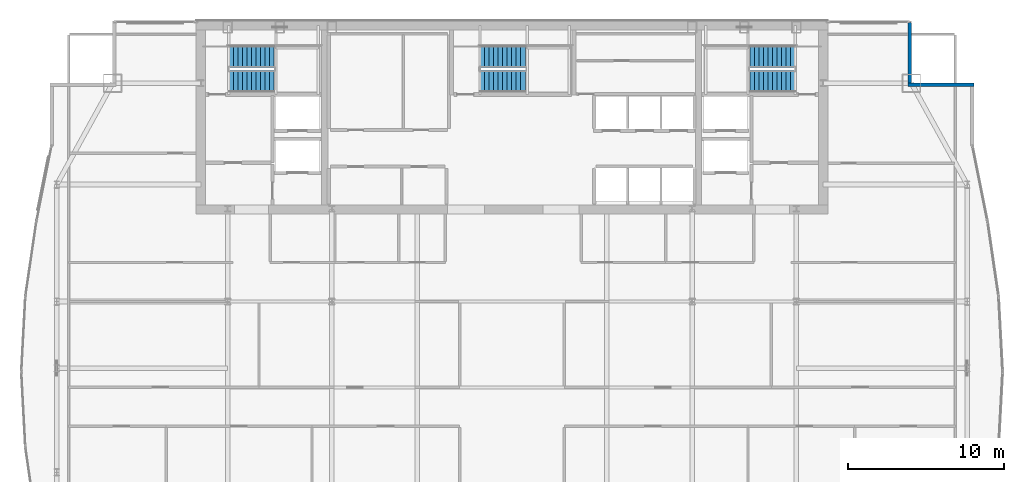
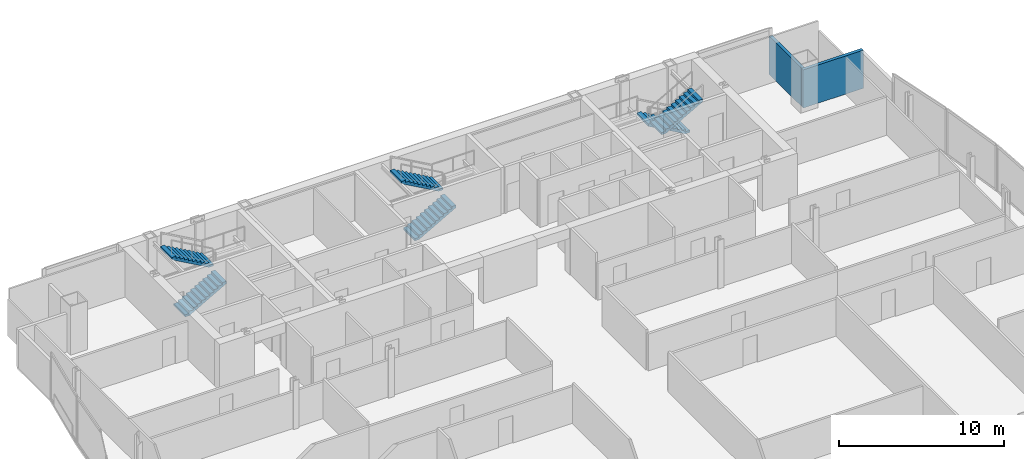
# One storey, part 28 of 30: 6 stair flights, 2 walls, 3 elements without a shape of their own.
"""IFC4 building model written with IfcOpenShell, lengths in metres."""

import ifcopenshell
import ifcopenshell.guid

model = None  # the IFC model being written
_history = None  # IfcOwnerHistory: only IFC2X3 demands one
_inside = {}  # id of a spatial element -> (the spatial element, [elements in it])
_under = {}  # id of a project, library or spatial element -> (it, [spatial elements below it])
_declared = {}  # id of a project -> (the project, [libraries it declares])
_typed = {}  # id of a type object -> (the type object, [elements of that type])
_made_of = {}  # id of a material, layer set ... -> (it, [elements and type objects made of it])


def new_model(schema):
    """Start an empty IFC model of exactly this schema.

    Asked for "IFC4X3", IfcOpenShell would pick the latest addendum, in which some entities
    have other attributes; the version numbers below select the first issue.
    IFC2X3 requires an IfcOwnerHistory on every rooted entity: one is made here for all.
    """
    global model, _history
    if schema == "IFC4X3":
        model = ifcopenshell.file(schema_version=(4, 3, 0, 0))
    else:
        model = ifcopenshell.file(schema=schema)
    _inside.clear()
    _under.clear()
    _declared.clear()
    _typed.clear()
    _made_of.clear()
    _history = None
    if model.schema == "IFC2X3":
        org = make("IfcOrganization", Name="unknown")
        user = make(
            "IfcPersonAndOrganization",
            ThePerson=make("IfcPerson", FamilyName="unknown"),
            TheOrganization=org,
        )
        app = make(
            "IfcApplication",
            ApplicationDeveloper=org,
            Version="unknown",
            ApplicationFullName="unknown",
            ApplicationIdentifier="unknown",
        )
        _history = make(
            "IfcOwnerHistory",
            OwningUser=user,
            OwningApplication=app,
            ChangeAction="ADDED",
            CreationDate=0,
        )
    return model


def make(cls, **values):
    """One entity of the class cls with the attributes given. An attribute that is None is left unset."""
    return model.create_entity(
        cls, **{name: value for name, value in values.items() if value is not None}
    )


def rooted(cls, **values):
    """An entity with a GlobalId (a new one), such as an element, a storey or a relation."""
    return make(cls, GlobalId=ifcopenshell.guid.new(), OwnerHistory=_history, **values)


def si_unit(unit_type, name, prefix=None):
    """IfcSIUnit, for example si_unit("LENGTHUNIT", "METRE", prefix="MILLI")."""
    return make("IfcSIUnit", UnitType=unit_type, Prefix=prefix, Name=name)


def assignment(units):
    """IfcUnitAssignment: the units of a project."""
    return None if units is None else make("IfcUnitAssignment", Units=units)


def point(xyz):
    """IfcCartesianPoint."""
    return None if xyz is None else make("IfcCartesianPoint", Coordinates=xyz)


def direction(xyz):
    """IfcDirection."""
    return None if xyz is None else make("IfcDirection", DirectionRatios=xyz)


def frame(location, z_axis=None, x_axis=None):
    """IfcAxis2Placement3D, a coordinate frame: its origin and axes. An axis left out is left unset."""
    return make(
        "IfcAxis2Placement3D",
        Location=point(location),
        Axis=direction(z_axis),
        RefDirection=direction(x_axis),
    )


def frame_2d(location, x_axis=None):
    """IfcAxis2Placement2D, a coordinate frame in the plane: its origin and x axis."""
    return make(
        "IfcAxis2Placement2D", Location=point(location), RefDirection=direction(x_axis)
    )


def origin():
    """The frame at (0, 0, 0) with its axes left unset."""
    return frame((0.0, 0.0, 0.0))


def place(relative_to, where):
    """IfcLocalPlacement: puts the frame where relative to a parent placement (None: the world)."""
    return make(
        "IfcLocalPlacement", PlacementRelTo=relative_to, RelativePlacement=where
    )


def context(
    kind, dimensions, precision=None, world=None, true_north=None, identifier=None
):
    """IfcGeometricRepresentationContext, for example the 3D "Model" context."""
    return make(
        "IfcGeometricRepresentationContext",
        ContextIdentifier=identifier,
        ContextType=kind,
        CoordinateSpaceDimension=dimensions,
        Precision=precision,
        WorldCoordinateSystem=world,
        TrueNorth=true_north,
    )


def subcontext(parent, identifier, kind, view, scale=None):
    """IfcGeometricRepresentationSubContext, for example "Body" below "Model"."""
    return make(
        "IfcGeometricRepresentationSubContext",
        ContextIdentifier=identifier,
        ContextType=kind,
        ParentContext=parent,
        TargetScale=scale,
        TargetView=view,
    )


def project(units=None, contexts=None):
    """IfcProject with its units and contexts."""
    return rooted(
        "IfcProject",
        Name="project",
        RepresentationContexts=contexts,
        UnitsInContext=assignment(units),
    )


def spatial(cls, under=None, at=None, **own):
    """A site, building, storey or space (cls), placed at a placement, below another one or the project."""
    s = rooted(cls, ObjectPlacement=at, **own)
    if under is not None:
        _under.setdefault(under.id(), (under, []))[1].append(s)
    return s


def polyline(points):
    """IfcPolyline through the points."""
    return make("IfcPolyline", Points=[point(p) for p in points])


def profile(cls, at=None, kind="AREA", **sizes):
    """A parametric profile (cls). Its sizes go by their IFC names, for example OverallWidth=200.0."""
    return make(cls, ProfileType=kind, Position=at, **sizes)


def rectangle(**sizes):
    """IfcRectangleProfileDef."""
    return profile("IfcRectangleProfileDef", **sizes)


def outline(outer, holes=None, kind="AREA"):
    """IfcArbitraryClosedProfileDef: a profile drawn as a closed curve; with holes, ...WithVoids."""
    if holes is None:
        return make("IfcArbitraryClosedProfileDef", ProfileType=kind, OuterCurve=outer)
    return make(
        "IfcArbitraryProfileDefWithVoids",
        ProfileType=kind,
        OuterCurve=outer,
        InnerCurves=holes,
    )


def extrude(swept, where, along, depth):
    """IfcExtrudedAreaSolid: the profile swept, set in the frame where, extruded along a direction by depth."""
    return make(
        "IfcExtrudedAreaSolid",
        SweptArea=swept,
        Position=where,
        ExtrudedDirection=direction(along),
        Depth=depth,
    )


def shape(context_of_items, identifier, shape_type, items):
    """IfcShapeRepresentation: the items that make up one representation, for example the "Body"."""
    return make(
        "IfcShapeRepresentation",
        ContextOfItems=context_of_items,
        RepresentationIdentifier=identifier,
        RepresentationType=shape_type,
        Items=items,
    )


def material(Name=None, Category=None):
    """IfcMaterial."""
    return make("IfcMaterial", Name=Name, Category=Category)


def layer(
    of_material, thickness, ventilated=None, Name=None, Category=None, Priority=None
):
    """IfcMaterialLayer: one layer of a wall or slab, of a material (None: an air gap)."""
    return make(
        "IfcMaterialLayer",
        Material=of_material,
        LayerThickness=thickness,
        IsVentilated=ventilated,
        Name=Name,
        Category=Category,
        Priority=Priority,
    )


def layer_set(layers, Name=None):
    """IfcMaterialLayerSet."""
    return make("IfcMaterialLayerSet", MaterialLayers=layers, LayerSetName=Name)


def made_of(thing, what):
    """Note that an element or type object is made of a material, layer set ...; save() writes the relation."""
    if what is not None:
        _made_of.setdefault(what.id(), (what, []))[1].append(thing)
    return thing


def type_object(cls, material=None, **own):
    """A type object (cls), such as IfcWallType, which elements share."""
    return made_of(rooted(cls, **own), material)


def element(
    cls,
    number,
    at=None,
    inside=None,
    cuts=None,
    type_object=None,
    material=None,
    context=None,
    identifier="Body",
    shape_type=None,
    held_by="IfcProductDefinitionShape",
    body=None,
    shapes=None,
    **own,
):
    """One element of the class cls, such as IfcWall. Its Tag is "e" and its number.

    at: its placement. inside: the storey or other place that contains it. cuts: it is an
    opening in that element (IfcRelVoidsElement). A single representation is given by context,
    identifier, shape_type and body (its items); several are given by shapes. held_by: the class
    of the entity that holds the representations. save() writes the other relations.
    """
    e = rooted(cls, Tag="e%d" % number, ObjectPlacement=at, **own)
    if body is not None:
        shapes = [shape(context, identifier, shape_type, body)]
    if shapes is not None:
        e.Representation = make(held_by, Representations=shapes)
    if inside is not None:
        _inside.setdefault(inside.id(), (inside, []))[1].append(e)
    if cuts is not None:
        rooted(
            "IfcRelVoidsElement", RelatingBuildingElement=cuts, RelatedOpeningElement=e
        )
    if type_object is not None:
        _typed.setdefault(type_object.id(), (type_object, []))[1].append(e)
    return made_of(e, material)


def aggregate(whole, parts):
    """IfcRelAggregates: a whole, such as a stair, and the parts it consists of."""
    return rooted("IfcRelAggregates", RelatingObject=whole, RelatedObjects=parts)


def save(model, path):
    """Write the relations noted so far, then the file.

    IfcRelAggregates (storeys below a building ...), IfcRelContainedInSpatialStructure (elements
    in a storey), IfcRelDefinesByType, IfcRelAssociatesMaterial and IfcRelDeclares: one each for
    every whole, place, type object, material and project.
    """
    for whole, parts in _under.values():
        aggregate(whole, parts)
    for where, things in _inside.values():
        rooted(
            "IfcRelContainedInSpatialStructure",
            RelatedElements=things,
            RelatingStructure=where,
        )
    for kind, things in _typed.values():
        rooted("IfcRelDefinesByType", RelatedObjects=things, RelatingType=kind)
    for what, things in _made_of.values():
        rooted("IfcRelAssociatesMaterial", RelatedObjects=things, RelatingMaterial=what)
    for by, libraries in _declared.values():
        rooted("IfcRelDeclares", RelatingContext=by, RelatedDefinitions=libraries)
    model.write(path)


model = new_model("IFC4")

# Units and contexts
model_context = context("Model", 3, precision=1e-05, world=origin(), true_north=direction((0.0, 1.0)))
body_context = subcontext(model_context, "Body", "Model", "MODEL_VIEW")
ifc_project = project(units=[si_unit("LENGTHUNIT", "METRE"), si_unit("AREAUNIT", "SQUARE_METRE"), si_unit("VOLUMEUNIT", "CUBIC_METRE"), si_unit("PLANEANGLEUNIT", "RADIAN"), si_unit("MASSUNIT", "GRAM", prefix="KILO")], contexts=[model_context])

# Site, building, storey
site_placement = place(None, origin())
site = spatial("IfcSite", under=ifc_project, at=site_placement, CompositionType="ELEMENT")
building_placement = place(site_placement, origin())
building = spatial("IfcBuilding", under=site, at=building_placement, Name="Khoronbel Lancet Exchange", CompositionType="ELEMENT")
storey_placement = place(building_placement, frame((0.0, 0.0, 206.60009765625)))
storey = spatial("IfcBuildingStorey", under=building, at=storey_placement, Name="L52", CompositionType="ELEMENT", Elevation=206.60009765625)

# Walls
ifc_material_1 = material(Name="Precast concrete C40/50", Category="concrete")
ifc_layer = layer(ifc_material_1, 0.25, Name="Precast concrete C40/50")
ifc_layer_set = layer_set([ifc_layer], Name="Precast concrete C40/50")
wall_type = type_object("IfcWallType", Name="WL-EXT250", PredefinedType="SOLIDWALL", material=ifc_layer_set)
wall_1_placement = place(storey_placement, frame((61.9599609375, 53.6298828125, 0.0), z_axis=(0.0, 0.0, 1.0), x_axis=(0.0, -1.0, 0.0)))
element("IfcWall", 1, at=wall_1_placement, inside=storey, type_object=wall_type, Name="Level L52 notched-corner limestone pier 14", PredefinedType="SOLIDWALL", context=body_context, shape_type="SweptSolid", body=[
    extrude(rectangle(XDim=3.909912109375, YDim=0.219970703125, at=frame_2d((1.955078125, 0.0))), origin(), (0.0, 0.0, 1.0), 2.829833984375),
])
wall_2_placement = place(storey_placement, frame((61.85009765625, 49.610107421875, 0.0), z_axis=(0.0, 0.0, 1.0), x_axis=(1.0, 0.0, 0.0)))
element("IfcWall", 2, at=wall_2_placement, inside=storey, type_object=wall_type, Name="Level L52 notched-corner limestone pier 15", PredefinedType="SOLIDWALL", context=body_context, shape_type="SweptSolid", body=[
    extrude(rectangle(XDim=4.219970703125, YDim=0.219970703125, at=frame_2d((2.10986328125, 0.0))), origin(), (0.0, 0.0, 1.0), 2.829833984375),
])

# Stair, stair flights
ifc_material_2 = material(Name="Concrete C40/50", Category="concrete")
stair_type = type_object("IfcStairType", Name="STR-CORE150", PredefinedType="HALF_TURN_STAIR", material=ifc_material_2)
stair_1_placement = place(storey_placement, origin())
stair_1 = element("IfcStair", 3, at=stair_1_placement, inside=storey, type_object=stair_type, Name="L52 Protected Exit Stair ST1", PredefinedType="HALF_TURN_STAIR")
stair_flight_type = type_object("IfcStairFlightType", Name="STF-150", PredefinedType="STRAIGHT", material=ifc_material_2)
stair_flight_1_placement = place(storey_placement, frame((18.300048828125, 49.81005859375, 0.0), z_axis=(0.0, 0.0, 1.0), x_axis=(1.0, 0.0, 0.0)))
stair_flight_1 = element("IfcStairFlight", 4, at=stair_flight_1_placement, type_object=stair_flight_type, Name="ST1 flight 1", NumberOfRisers=11, NumberOfTreads=10, PredefinedType="STRAIGHT", RiserHeight=0.163636364, TreadLength=0.29, context=body_context, shape_type="SweptSolid", body=[
    extrude(outline(polyline([(0.0, 0.0), (0.0, 0.16357421875), (0.2900390625, 0.16357421875), (0.2900390625, 0.327392578125), (0.580078125, 0.327392578125), (0.580078125, 0.490966796875), (0.8701171875, 0.490966796875), (0.8701171875, 0.654541015625), (1.159912109375, 0.654541015625), (1.159912109375, 0.818115234375), (1.449951171875, 0.818115234375), (1.449951171875, 0.98193359375), (1.739990234375, 0.98193359375), (1.739990234375, 1.1455078125), (2.030029296875, 1.1455078125), (2.030029296875, 1.30908203125), (2.320068359375, 1.30908203125), (2.320068359375, 1.47265625), (2.610107421875, 1.47265625), (2.610107421875, 1.636474609375), (2.89990234375, 1.636474609375), (2.89990234375, 1.800048828125), (2.89990234375, 1.46435546875), (0.304931640625, 0.0), (0.0, 0.0)])), frame((0.0, 0.68994140625, 0.0), z_axis=(0.0, -1.0, 0.0), x_axis=(1.0, 0.0, 0.0)), (0.0, 0.0, 1.0), 1.3798828125),
])
stair_flight_2_placement = place(storey_placement, frame((21.199951171875, 51.409912109375, 1.7998046875), z_axis=(0.0, 0.0, 1.0), x_axis=(-1.0, 0.0, 0.0)))
stair_flight_2 = element("IfcStairFlight", 5, at=stair_flight_2_placement, type_object=stair_flight_type, Name="ST1 flight 2", NumberOfRisers=11, NumberOfTreads=10, PredefinedType="STRAIGHT", RiserHeight=0.163636364, TreadLength=0.29, context=body_context, shape_type="SweptSolid", body=[
    extrude(outline(polyline([(0.0, 0.0), (0.0, 0.16357421875), (0.2900390625, 0.16357421875), (0.2900390625, 0.327392578125), (0.580078125, 0.327392578125), (0.580078125, 0.490966796875), (0.8701171875, 0.490966796875), (0.8701171875, 0.654541015625), (1.159912109375, 0.654541015625), (1.159912109375, 0.818115234375), (1.449951171875, 0.818115234375), (1.449951171875, 0.98193359375), (1.739990234375, 0.98193359375), (1.739990234375, 1.1455078125), (2.030029296875, 1.1455078125), (2.030029296875, 1.30908203125), (2.320068359375, 1.30908203125), (2.320068359375, 1.47265625), (2.610107421875, 1.47265625), (2.610107421875, 1.636474609375), (2.89990234375, 1.636474609375), (2.89990234375, 1.800048828125), (2.89990234375, 1.46435546875), (0.304931640625, 0.0), (0.0, 0.0)])), frame((0.0, 0.68994140625, 0.0), z_axis=(0.0, -1.0, 0.0), x_axis=(1.0, 0.0, 0.0)), (0.0, 0.0, 1.0), 1.3798828125),
])
aggregate(stair_1, [stair_flight_1, stair_flight_2])

stair_2_placement = place(storey_placement, origin())
stair_2 = element("IfcStair", 6, at=stair_2_placement, inside=storey, type_object=stair_type, Name="L52 Protected Exit Stair ST2", PredefinedType="HALF_TURN_STAIR")
stair_flight_3_placement = place(storey_placement, frame((54.60009765625, 51.409912109375, 0.0), z_axis=(0.0, 0.0, 1.0), x_axis=(-1.0, 0.0, 0.0)))
stair_flight_3 = element("IfcStairFlight", 7, at=stair_flight_3_placement, type_object=stair_flight_type, Name="ST2 flight 1", NumberOfRisers=11, NumberOfTreads=10, PredefinedType="STRAIGHT", RiserHeight=0.163636364, TreadLength=0.29, context=body_context, shape_type="SweptSolid", body=[
    extrude(outline(polyline([(0.0, 0.0), (0.0, 0.16357421875), (0.2900390625, 0.16357421875), (0.2900390625, 0.327392578125), (0.580078125, 0.327392578125), (0.580078125, 0.490966796875), (0.8701171875, 0.490966796875), (0.8701171875, 0.654541015625), (1.159912109375, 0.654541015625), (1.159912109375, 0.818115234375), (1.449951171875, 0.818115234375), (1.449951171875, 0.98193359375), (1.739990234375, 0.98193359375), (1.739990234375, 1.1455078125), (2.030029296875, 1.1455078125), (2.030029296875, 1.30908203125), (2.320068359375, 1.30908203125), (2.320068359375, 1.47265625), (2.610107421875, 1.47265625), (2.610107421875, 1.636474609375), (2.89990234375, 1.636474609375), (2.89990234375, 1.800048828125), (2.89990234375, 1.46435546875), (0.304931640625, 0.0), (0.0, 0.0)])), frame((0.0, 0.68994140625, 0.0), z_axis=(0.0, -1.0, 0.0), x_axis=(1.0, 0.0, 0.0)), (0.0, 0.0, 1.0), 1.3798828125),
])
stair_flight_4_placement = place(storey_placement, frame((51.699951171875, 49.81005859375, 1.7998046875), z_axis=(0.0, 0.0, 1.0), x_axis=(1.0, 0.0, 0.0)))
stair_flight_4 = element("IfcStairFlight", 8, at=stair_flight_4_placement, type_object=stair_flight_type, Name="ST2 flight 2", NumberOfRisers=11, NumberOfTreads=10, PredefinedType="STRAIGHT", RiserHeight=0.163636364, TreadLength=0.29, context=body_context, shape_type="SweptSolid", body=[
    extrude(outline(polyline([(0.0, 0.0), (0.0, 0.16357421875), (0.2900390625, 0.16357421875), (0.2900390625, 0.327392578125), (0.580078125, 0.327392578125), (0.580078125, 0.490966796875), (0.8701171875, 0.490966796875), (0.8701171875, 0.654541015625), (1.159912109375, 0.654541015625), (1.159912109375, 0.818115234375), (1.449951171875, 0.818115234375), (1.449951171875, 0.98193359375), (1.739990234375, 0.98193359375), (1.739990234375, 1.1455078125), (2.030029296875, 1.1455078125), (2.030029296875, 1.30908203125), (2.320068359375, 1.30908203125), (2.320068359375, 1.47265625), (2.610107421875, 1.47265625), (2.610107421875, 1.636474609375), (2.89990234375, 1.636474609375), (2.89990234375, 1.800048828125), (2.89990234375, 1.46435546875), (0.304931640625, 0.0), (0.0, 0.0)])), frame((0.0, 0.68994140625, 0.0), z_axis=(0.0, -1.0, 0.0), x_axis=(1.0, 0.0, 0.0)), (0.0, 0.0, 1.0), 1.3798828125),
])
aggregate(stair_2, [stair_flight_3, stair_flight_4])

stair_3_placement = place(storey_placement, origin())
stair_3 = element("IfcStair", 9, at=stair_3_placement, inside=storey, type_object=stair_type, Name="L52 Protected Exit Stair ST3", PredefinedType="HALF_TURN_STAIR")
stair_flight_5_placement = place(storey_placement, frame((34.39990234375, 49.81005859375, 0.0), z_axis=(0.0, 0.0, 1.0), x_axis=(1.0, 0.0, 0.0)))
stair_flight_5 = element("IfcStairFlight", 10, at=stair_flight_5_placement, type_object=stair_flight_type, Name="ST3 flight 1", NumberOfRisers=11, NumberOfTreads=10, PredefinedType="STRAIGHT", RiserHeight=0.163636364, TreadLength=0.29, context=body_context, shape_type="SweptSolid", body=[
    extrude(outline(polyline([(0.0, 0.0), (0.0, 0.16357421875), (0.2900390625, 0.16357421875), (0.2900390625, 0.327392578125), (0.580078125, 0.327392578125), (0.580078125, 0.490966796875), (0.8701171875, 0.490966796875), (0.8701171875, 0.654541015625), (1.159912109375, 0.654541015625), (1.159912109375, 0.818115234375), (1.449951171875, 0.818115234375), (1.449951171875, 0.98193359375), (1.739990234375, 0.98193359375), (1.739990234375, 1.1455078125), (2.030029296875, 1.1455078125), (2.030029296875, 1.30908203125), (2.320068359375, 1.30908203125), (2.320068359375, 1.47265625), (2.610107421875, 1.47265625), (2.610107421875, 1.636474609375), (2.89990234375, 1.636474609375), (2.89990234375, 1.800048828125), (2.89990234375, 1.46435546875), (0.304931640625, 0.0), (0.0, 0.0)])), frame((0.0, 0.68994140625, 0.0), z_axis=(0.0, -1.0, 0.0), x_axis=(1.0, 0.0, 0.0)), (0.0, 0.0, 1.0), 1.3798828125),
])
stair_flight_6_placement = place(storey_placement, frame((37.300048828125, 51.409912109375, 1.7998046875), z_axis=(0.0, 0.0, 1.0), x_axis=(-1.0, 0.0, 0.0)))
stair_flight_6 = element("IfcStairFlight", 11, at=stair_flight_6_placement, type_object=stair_flight_type, Name="ST3 flight 2", NumberOfRisers=11, NumberOfTreads=10, PredefinedType="STRAIGHT", RiserHeight=0.163636364, TreadLength=0.29, context=body_context, shape_type="SweptSolid", body=[
    extrude(outline(polyline([(0.0, 0.0), (0.0, 0.16357421875), (0.2900390625, 0.16357421875), (0.2900390625, 0.327392578125), (0.580078125, 0.327392578125), (0.580078125, 0.490966796875), (0.8701171875, 0.490966796875), (0.8701171875, 0.654541015625), (1.159912109375, 0.654541015625), (1.159912109375, 0.818115234375), (1.449951171875, 0.818115234375), (1.449951171875, 0.98193359375), (1.739990234375, 0.98193359375), (1.739990234375, 1.1455078125), (2.030029296875, 1.1455078125), (2.030029296875, 1.30908203125), (2.320068359375, 1.30908203125), (2.320068359375, 1.47265625), (2.610107421875, 1.47265625), (2.610107421875, 1.636474609375), (2.89990234375, 1.636474609375), (2.89990234375, 1.800048828125), (2.89990234375, 1.46435546875), (0.304931640625, 0.0), (0.0, 0.0)])), frame((0.0, 0.68994140625, 0.0), z_axis=(0.0, -1.0, 0.0), x_axis=(1.0, 0.0, 0.0)), (0.0, 0.0, 1.0), 1.3798828125),
])
aggregate(stair_3, [stair_flight_5, stair_flight_6])

save(model, "model.ifc")
